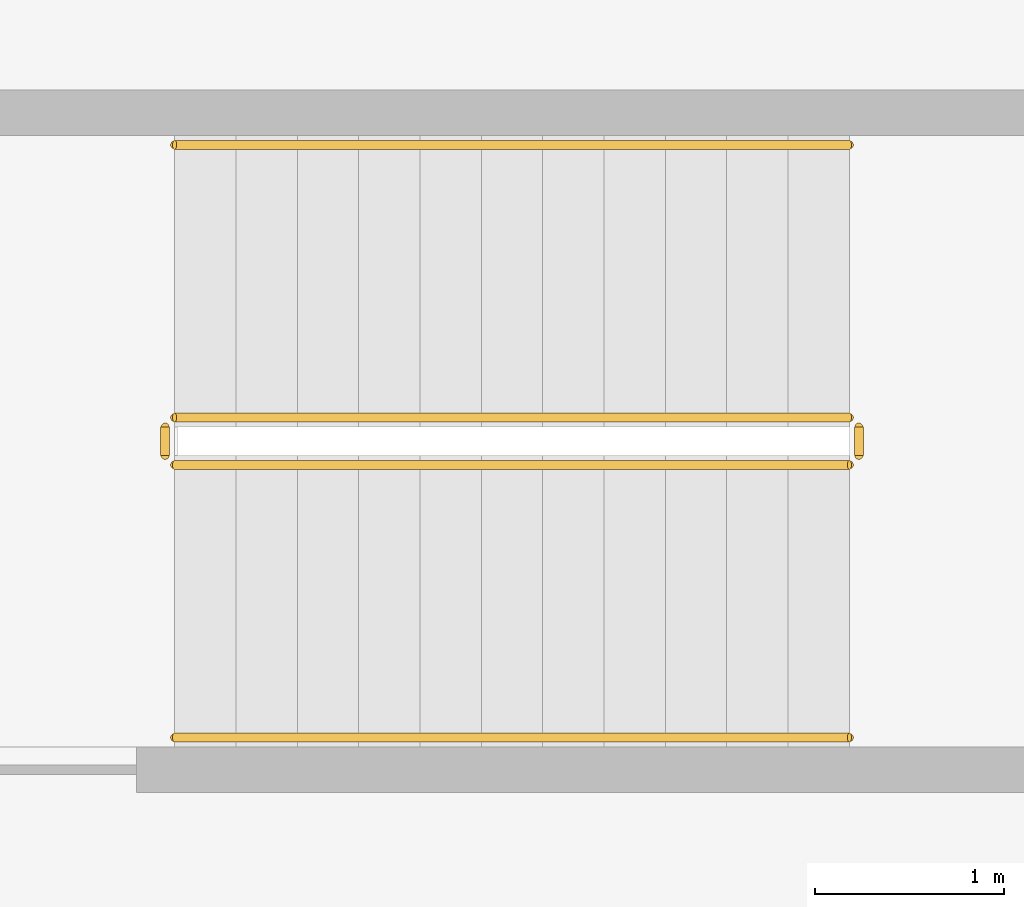
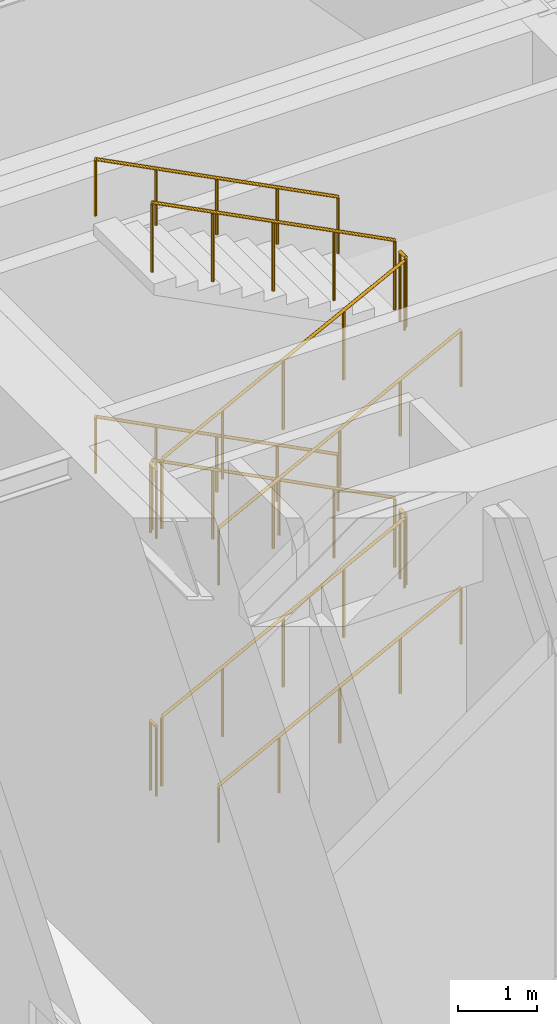
# One storey, part 12 of 15: 12 railings.
"""IFC4 building model written with IfcOpenShell, lengths in metres."""

from ifc_helpers import new_model, si_unit, direction, frame, origin, origin_2d, place, context, subcontext, project, spatial, circle, extrude, material, type_object, element, save


model = new_model("IFC4")

# Units and contexts
model_context = context("Model", 3, precision=1e-05, world=origin(), true_north=direction((0.0, 1.0)))
body_context = subcontext(model_context, "Body", "Model", "MODEL_VIEW")
ifc_project = project(units=[si_unit("LENGTHUNIT", "METRE"), si_unit("AREAUNIT", "SQUARE_METRE"), si_unit("VOLUMEUNIT", "CUBIC_METRE"), si_unit("PLANEANGLEUNIT", "RADIAN"), si_unit("MASSUNIT", "GRAM", prefix="KILO")], contexts=[model_context])

# Site, building, storey
site_placement = place(None, origin())
site = spatial("IfcSite", under=ifc_project, at=site_placement, CompositionType="ELEMENT")
building_placement = place(site_placement, origin())
building = spatial("IfcBuilding", under=site, at=building_placement, Name="Kolvaren Arena Tower", CompositionType="ELEMENT")
storey_placement = place(building_placement, frame((0.0, 0.0, 34.0)))
storey = spatial("IfcBuildingStorey", under=building, at=storey_placement, Name="L06", CompositionType="ELEMENT", Elevation=34.0)

# Railings
ifc_material_1 = material(Name="Painted galvanized steel", Category="steel")
railing_type_1 = type_object("IfcRailingType", Name="GUARD-ST-110", PredefinedType="GUARDRAIL", material=ifc_material_1)
railing_1_placement = place(storey_placement, frame((16.719970703125, 30.389892578125, 0.166748046875)))
element("IfcRailing", 1, at=railing_1_placement, inside=storey, type_object=railing_type_1, Name="L06 ST-W1 stair guard 1", PredefinedType="GUARDRAIL", context=body_context, shape_type="SweptSolid", body=[
    extrude(circle(Radius=0.02392578125, at=origin_2d()), frame((0.0, 0.0, 1.076171875), z_axis=(0.889251698267, 0.0, 0.45741820813), x_axis=(0.0, 1.0, 0.0)), (0.0, 0.0, 1.0), 4.0078125),
    extrude(circle(Radius=0.02099609375, at=origin_2d()), origin(), (0.0, 0.0, 1.0), 1.052001953125),
    extrude(circle(Radius=0.02099609375, at=origin_2d()), frame((0.89111328125, 0.0, 0.458251953125)), (0.0, 0.0, 1.0), 1.052001953125),
    extrude(circle(Radius=0.02099609375, at=origin_2d()), frame((1.781982421875, 0.0, 0.91650390625)), (0.0, 0.0, 1.0), 1.052001953125),
    extrude(circle(Radius=0.02099609375, at=origin_2d()), frame((2.6728515625, 0.0, 1.375)), (0.0, 0.0, 1.0), 1.052001953125),
    extrude(circle(Radius=0.02099609375, at=origin_2d()), frame((3.56396484375, 0.0, 1.833251953125)), (0.0, 0.0, 1.0), 1.052001953125),
])
railing_2_placement = place(storey_placement, frame((20.333984375, 30.43994140625, 2.0)))
element("IfcRailing", 2, at=railing_2_placement, inside=storey, type_object=railing_type_1, Name="L06 ST-W1 stair guard 2", PredefinedType="GUARDRAIL", context=body_context, shape_type="SweptSolid", body=[
    extrude(circle(Radius=0.02392578125, at=origin_2d()), frame((0.0, 0.0, 1.076171875), z_axis=(0.0, 1.0, 0.0), x_axis=(-1.0, 0.0, 0.0)), (0.0, 0.0, 1.0), 0.150146484375),
    extrude(circle(Radius=0.02099609375, at=origin_2d()), origin(), (0.0, 0.0, 1.0), 1.052001953125),
    extrude(circle(Radius=0.02099609375, at=origin_2d()), frame((0.0, 0.150146484375, 0.0)), (0.0, 0.0, 1.0), 1.052001953125),
])
railing_3_placement = place(storey_placement, frame((20.283935546875, 30.639892578125, 2.166748046875)))
element("IfcRailing", 3, at=railing_3_placement, inside=storey, type_object=railing_type_1, Name="L06 ST-W1 stair guard 3", PredefinedType="GUARDRAIL", context=body_context, shape_type="SweptSolid", body=[
    extrude(circle(Radius=0.02392578125, at=origin_2d()), frame((0.0, 0.0, 1.076171875), z_axis=(-0.889251698267, 0.0, 0.45741820813), x_axis=(0.0, -1.0, 0.0)), (0.0, 0.0, 1.0), 4.0078125),
    extrude(circle(Radius=0.02099609375, at=origin_2d()), origin(), (0.0, 0.0, 1.0), 1.052001953125),
    extrude(circle(Radius=0.02099609375, at=origin_2d()), frame((-0.89111328125, 0.0, 0.458251953125)), (0.0, 0.0, 1.0), 1.052001953125),
    extrude(circle(Radius=0.02099609375, at=origin_2d()), frame((-1.781982421875, 0.0, 0.91650390625)), (0.0, 0.0, 1.0), 1.052001953125),
    extrude(circle(Radius=0.02099609375, at=origin_2d()), frame((-2.6728515625, 0.0, 1.375)), (0.0, 0.0, 1.0), 1.052001953125),
    extrude(circle(Radius=0.02099609375, at=origin_2d()), frame((-3.56396484375, 0.0, 1.833251953125)), (0.0, 0.0, 1.0), 1.052001953125),
])
railing_4_placement = place(storey_placement, frame((16.669921875, 30.43994140625, 4.0)))
element("IfcRailing", 4, at=railing_4_placement, inside=storey, type_object=railing_type_1, Name="L06 ST-W1 stair guard 4", PredefinedType="GUARDRAIL", context=body_context, shape_type="SweptSolid", body=[
    extrude(circle(Radius=0.02392578125, at=origin_2d()), frame((0.0, 0.0, 1.076171875), z_axis=(0.0, 1.0, 0.0), x_axis=(-1.0, 0.0, 0.0)), (0.0, 0.0, 1.0), 0.150146484375),
    extrude(circle(Radius=0.02099609375, at=origin_2d()), origin(), (0.0, 0.0, 1.0), 1.052001953125),
    extrude(circle(Radius=0.02099609375, at=origin_2d()), frame((0.0, 0.150146484375, 0.0)), (0.0, 0.0, 1.0), 1.052001953125),
])
railing_5_placement = place(storey_placement, frame((16.719970703125, 30.389892578125, 4.166748046875)))
element("IfcRailing", 5, at=railing_5_placement, inside=storey, type_object=railing_type_1, Name="L06 ST-W1 stair guard 5", PredefinedType="GUARDRAIL", context=body_context, shape_type="SweptSolid", body=[
    extrude(circle(Radius=0.02392578125, at=origin_2d()), frame((0.0, 0.0, 1.076171875), z_axis=(0.889251698267, 0.0, 0.45741820813), x_axis=(0.0, 1.0, 0.0)), (0.0, 0.0, 1.0), 4.0078125),
    extrude(circle(Radius=0.02099609375, at=origin_2d()), origin(), (0.0, 0.0, 1.0), 1.052001953125),
    extrude(circle(Radius=0.02099609375, at=origin_2d()), frame((0.89111328125, 0.0, 0.458251953125)), (0.0, 0.0, 1.0), 1.052001953125),
    extrude(circle(Radius=0.02099609375, at=origin_2d()), frame((1.781982421875, 0.0, 0.91650390625)), (0.0, 0.0, 1.0), 1.052001953125),
    extrude(circle(Radius=0.02099609375, at=origin_2d()), frame((2.6728515625, 0.0, 1.375)), (0.0, 0.0, 1.0), 1.052001953125),
    extrude(circle(Radius=0.02099609375, at=origin_2d()), frame((3.56396484375, 0.0, 1.833251953125)), (0.0, 0.0, 1.0), 1.052001953125),
])
railing_6_placement = place(storey_placement, frame((20.333984375, 30.43994140625, 6.0)))
element("IfcRailing", 6, at=railing_6_placement, inside=storey, type_object=railing_type_1, Name="L06 ST-W1 stair guard 6", PredefinedType="GUARDRAIL", context=body_context, shape_type="SweptSolid", body=[
    extrude(circle(Radius=0.02392578125, at=origin_2d()), frame((0.0, 0.0, 1.076171875), z_axis=(0.0, 1.0, 0.0), x_axis=(-1.0, 0.0, 0.0)), (0.0, 0.0, 1.0), 0.150146484375),
    extrude(circle(Radius=0.02099609375, at=origin_2d()), origin(), (0.0, 0.0, 1.0), 1.052001953125),
    extrude(circle(Radius=0.02099609375, at=origin_2d()), frame((0.0, 0.150146484375, 0.0)), (0.0, 0.0, 1.0), 1.052001953125),
])
railing_7_placement = place(storey_placement, frame((20.283935546875, 30.639892578125, 6.166748046875)))
element("IfcRailing", 7, at=railing_7_placement, inside=storey, type_object=railing_type_1, Name="L06 ST-W1 stair guard 7", PredefinedType="GUARDRAIL", context=body_context, shape_type="SweptSolid", body=[
    extrude(circle(Radius=0.02392578125, at=origin_2d()), frame((0.0, 0.0, 1.076171875), z_axis=(-0.889251698267, 0.0, 0.45741820813), x_axis=(0.0, -1.0, 0.0)), (0.0, 0.0, 1.0), 4.0078125),
    extrude(circle(Radius=0.02099609375, at=origin_2d()), origin(), (0.0, 0.0, 1.0), 1.052001953125),
    extrude(circle(Radius=0.02099609375, at=origin_2d()), frame((-0.89111328125, 0.0, 0.458251953125)), (0.0, 0.0, 1.0), 1.052001953125),
    extrude(circle(Radius=0.02099609375, at=origin_2d()), frame((-1.781982421875, 0.0, 0.91650390625)), (0.0, 0.0, 1.0), 1.052001953125),
    extrude(circle(Radius=0.02099609375, at=origin_2d()), frame((-2.6728515625, 0.0, 1.375)), (0.0, 0.0, 1.0), 1.052001953125),
    extrude(circle(Radius=0.02099609375, at=origin_2d()), frame((-3.56396484375, 0.0, 1.833251953125)), (0.0, 0.0, 1.0), 1.052001953125),
])
railing_8_placement = place(storey_placement, frame((16.669921875, 30.43994140625, 0.0)))
element("IfcRailing", 8, at=railing_8_placement, inside=storey, type_object=railing_type_1, Name="L06 ST-W1 stair guard 8", PredefinedType="GUARDRAIL", context=body_context, shape_type="SweptSolid", body=[
    extrude(circle(Radius=0.02392578125, at=origin_2d()), frame((0.0, 0.0, 1.076171875), z_axis=(0.0, 1.0, 0.0), x_axis=(-1.0, 0.0, 0.0)), (0.0, 0.0, 1.0), 0.150146484375),
    extrude(circle(Radius=0.02099609375, at=origin_2d()), origin(), (0.0, 0.0, 1.0), 1.052001953125),
    extrude(circle(Radius=0.02099609375, at=origin_2d()), frame((0.0, 0.150146484375, 0.0)), (0.0, 0.0, 1.0), 1.052001953125),
])
ifc_material_2 = material(Name="Brushed stainless steel handrail", Category="steel")
railing_type_2 = type_object("IfcRailingType", Name="HRAIL-900", PredefinedType="HANDRAIL", material=ifc_material_2)
railing_9_placement = place(storey_placement, frame((16.719970703125, 28.949951171875, 0.166748046875)))
element("IfcRailing", 9, at=railing_9_placement, inside=storey, type_object=railing_type_2, Name="L06 ST-W1 stair handrail 1", PredefinedType="HANDRAIL", context=body_context, shape_type="SweptSolid", body=[
    extrude(circle(Radius=0.02392578125, at=origin_2d()), frame((0.0, 0.0, 0.8759765625), z_axis=(0.889251698267, 0.0, 0.45741820813), x_axis=(0.0, 1.0, 0.0)), (0.0, 0.0, 1.0), 4.0078125),
    extrude(circle(Radius=0.02099609375, at=origin_2d()), origin(), (0.0, 0.0, 1.0), 0.851806640625),
    extrude(circle(Radius=0.02099609375, at=origin_2d()), frame((0.89111328125, 0.0, 0.458251953125)), (0.0, 0.0, 1.0), 0.851806640625),
    extrude(circle(Radius=0.02099609375, at=origin_2d()), frame((1.781982421875, 0.0, 0.91650390625)), (0.0, 0.0, 1.0), 0.851806640625),
    extrude(circle(Radius=0.02099609375, at=origin_2d()), frame((2.6728515625, 0.0, 1.375)), (0.0, 0.0, 1.0), 0.851806640625),
    extrude(circle(Radius=0.02099609375, at=origin_2d()), frame((3.56396484375, 0.0, 1.833251953125)), (0.0, 0.0, 1.0), 0.851806640625),
])
railing_10_placement = place(storey_placement, frame((20.283935546875, 32.080078125, 2.166748046875)))
element("IfcRailing", 10, at=railing_10_placement, inside=storey, type_object=railing_type_2, Name="L06 ST-W1 stair handrail 2", PredefinedType="HANDRAIL", context=body_context, shape_type="SweptSolid", body=[
    extrude(circle(Radius=0.02392578125, at=origin_2d()), frame((0.0, 0.0, 0.8759765625), z_axis=(-0.889251698267, 0.0, 0.45741820813), x_axis=(0.0, -1.0, 0.0)), (0.0, 0.0, 1.0), 4.0078125),
    extrude(circle(Radius=0.02099609375, at=origin_2d()), origin(), (0.0, 0.0, 1.0), 0.851806640625),
    extrude(circle(Radius=0.02099609375, at=origin_2d()), frame((-0.89111328125, 0.0, 0.458251953125)), (0.0, 0.0, 1.0), 0.851806640625),
    extrude(circle(Radius=0.02099609375, at=origin_2d()), frame((-1.781982421875, 0.0, 0.91650390625)), (0.0, 0.0, 1.0), 0.851806640625),
    extrude(circle(Radius=0.02099609375, at=origin_2d()), frame((-2.6728515625, 0.0, 1.375)), (0.0, 0.0, 1.0), 0.851806640625),
    extrude(circle(Radius=0.02099609375, at=origin_2d()), frame((-3.56396484375, 0.0, 1.833251953125)), (0.0, 0.0, 1.0), 0.851806640625),
])
railing_11_placement = place(storey_placement, frame((16.719970703125, 28.949951171875, 4.166748046875)))
element("IfcRailing", 11, at=railing_11_placement, inside=storey, type_object=railing_type_2, Name="L06 ST-W1 stair handrail 3", PredefinedType="HANDRAIL", context=body_context, shape_type="SweptSolid", body=[
    extrude(circle(Radius=0.02392578125, at=origin_2d()), frame((0.0, 0.0, 0.8759765625), z_axis=(0.889251698267, 0.0, 0.45741820813), x_axis=(0.0, 1.0, 0.0)), (0.0, 0.0, 1.0), 4.0078125),
    extrude(circle(Radius=0.02099609375, at=origin_2d()), origin(), (0.0, 0.0, 1.0), 0.851806640625),
    extrude(circle(Radius=0.02099609375, at=origin_2d()), frame((0.89111328125, 0.0, 0.458251953125)), (0.0, 0.0, 1.0), 0.851806640625),
    extrude(circle(Radius=0.02099609375, at=origin_2d()), frame((1.781982421875, 0.0, 0.91650390625)), (0.0, 0.0, 1.0), 0.851806640625),
    extrude(circle(Radius=0.02099609375, at=origin_2d()), frame((2.6728515625, 0.0, 1.375)), (0.0, 0.0, 1.0), 0.851806640625),
    extrude(circle(Radius=0.02099609375, at=origin_2d()), frame((3.56396484375, 0.0, 1.833251953125)), (0.0, 0.0, 1.0), 0.851806640625),
])
railing_12_placement = place(storey_placement, frame((20.283935546875, 32.080078125, 6.166748046875)))
element("IfcRailing", 12, at=railing_12_placement, inside=storey, type_object=railing_type_2, Name="L06 ST-W1 stair handrail 4", PredefinedType="HANDRAIL", context=body_context, shape_type="SweptSolid", body=[
    extrude(circle(Radius=0.02392578125, at=origin_2d()), frame((0.0, 0.0, 0.8759765625), z_axis=(-0.889251698267, 0.0, 0.45741820813), x_axis=(0.0, -1.0, 0.0)), (0.0, 0.0, 1.0), 4.0078125),
    extrude(circle(Radius=0.02099609375, at=origin_2d()), origin(), (0.0, 0.0, 1.0), 0.851806640625),
    extrude(circle(Radius=0.02099609375, at=origin_2d()), frame((-0.89111328125, 0.0, 0.458251953125)), (0.0, 0.0, 1.0), 0.851806640625),
    extrude(circle(Radius=0.02099609375, at=origin_2d()), frame((-1.781982421875, 0.0, 0.91650390625)), (0.0, 0.0, 1.0), 0.851806640625),
    extrude(circle(Radius=0.02099609375, at=origin_2d()), frame((-2.6728515625, 0.0, 1.375)), (0.0, 0.0, 1.0), 0.851806640625),
    extrude(circle(Radius=0.02099609375, at=origin_2d()), frame((-3.56396484375, 0.0, 1.833251953125)), (0.0, 0.0, 1.0), 0.851806640625),
])

save(model, "model.ifc")
